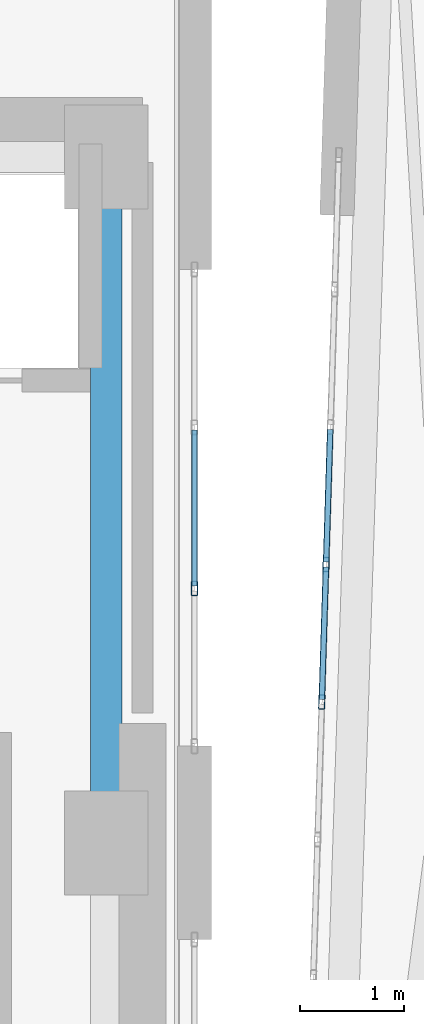
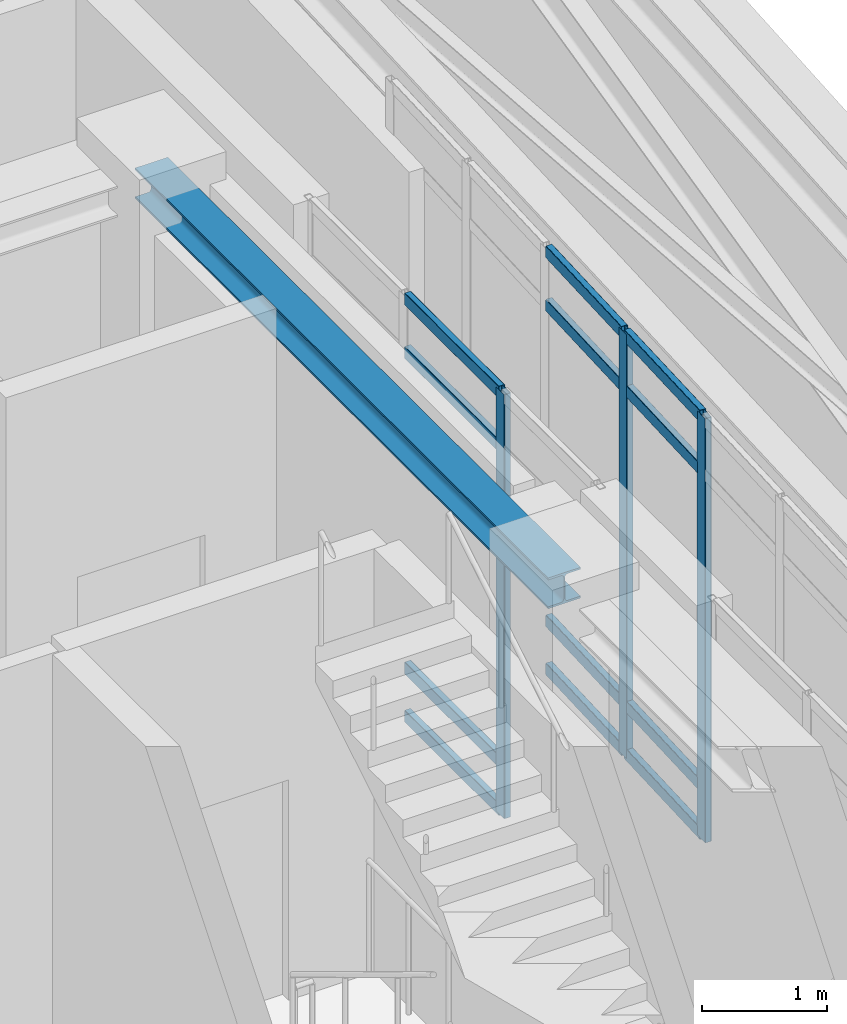
# One storey, part 9 of 19: 15 members, 1 beam, 2 elements without a shape of their own.
"""IFC4 building model written with IfcOpenShell, lengths in metres."""

from ifc_helpers import new_model, si_unit, direction, frame, origin, origin_2d, place, context, subcontext, project, spatial, hollow_rectangle, i_section, extrude, material, layer, layer_set, material_profile, profile_set, type_object, element, aggregate, save


model = new_model("IFC4")

# Units and contexts
model_context = context("Model", 3, precision=1e-05, world=origin(), true_north=direction((0.0, 1.0)))
body_context = subcontext(model_context, "Body", "Model", "MODEL_VIEW")
ifc_project = project(units=[si_unit("LENGTHUNIT", "METRE"), si_unit("AREAUNIT", "SQUARE_METRE"), si_unit("VOLUMEUNIT", "CUBIC_METRE"), si_unit("PLANEANGLEUNIT", "RADIAN"), si_unit("MASSUNIT", "GRAM", prefix="KILO")], contexts=[model_context])

# Site, building, storey
site_placement = place(None, origin())
site = spatial("IfcSite", under=ifc_project, at=site_placement, CompositionType="ELEMENT")
building_placement = place(site_placement, origin())
building = spatial("IfcBuilding", under=site, at=building_placement, Name="Ndelora Gate Hotel", CompositionType="ELEMENT")
storey_placement = place(building_placement, frame((0.0, 0.0, 290.39990234375)))
storey = spatial("IfcBuildingStorey", under=building, at=storey_placement, Name="L72", CompositionType="ELEMENT", Elevation=290.39990234375)

# Beam
ifc_material_1 = material(Name="Steel S355", Category="steel")
ifc_material_profile_1 = material_profile(ifc_material_1, i_section(OverallWidth=0.300048828125, OverallDepth=0.300048828125, WebThickness=0.010986328125, FlangeThickness=0.01904296875, FilletRadius=0.027099609375, at=origin_2d()), Name="HEB 300")
ifc_profile_set_1 = profile_set([ifc_material_profile_1], Name="Steel S355")
beam_type = type_object("IfcBeamType", Name="BM-CORE-300", PredefinedType="BEAM", material=ifc_profile_set_1)
beam_placement = place(storey_placement, frame((8.0, 0.0, 3.97998046875), z_axis=(0.0, 1.0, 0.0), x_axis=(-1.0, 0.0, 0.0)))
element("IfcBeam", 1, at=beam_placement, inside=storey, type_object=beam_type, Name="L72 Core Tie Girder CC4-CC5", PredefinedType="BEAM", context=body_context, shape_type="SweptSolid", body=[
    extrude(i_section(OverallWidth=0.300048828125, OverallDepth=0.300048828125, WebThickness=0.010986328125, FlangeThickness=0.01904296875, FilletRadius=0.027099609375, at=origin_2d()), origin(), (0.0, 0.0, 1.0), 6.60009765625),
])

# Curtain wall, member
ifc_material_2 = material(Name="Bronze Anodised Unitised Aluminium and Low-E Glass", Category="aluminium")
ifc_layer = layer(ifc_material_2, 0.199951171875)
ifc_layer_set = layer_set([ifc_layer], Name="Bronze Anodised Unitised Aluminium and Low-E Glass")
curtain_wall_type = type_object("IfcCurtainWallType", Name="CW-SYS-8", PredefinedType="NOTDEFINED", material=ifc_layer_set)
curtain_wall_1_placement = place(storey_placement, origin())
curtain_wall_1 = element("IfcCurtainWall", 2, at=curtain_wall_1_placement, inside=storey, type_object=curtain_wall_type, Name="L72 Split-Crown West Cleft Lantern Curtain Wall CW8-2", PredefinedType="NOTDEFINED")
ifc_material_3 = material(Name="Bronze Anodised Aluminium 6063-T6", Category="aluminium")
ifc_material_profile_2 = material_profile(ifc_material_3, hollow_rectangle(XDim=0.06005859375, YDim=0.139892578125, WallThickness=0.00390625, InnerFilletRadius=0.00390625, OuterFilletRadius=0.008056640625, at=origin_2d()), Name="ALU 140x60x4")
ifc_profile_set_2 = profile_set([ifc_material_profile_2], Name="Bronze Anodised Aluminium 6063-T6")
member_type_1 = type_object("IfcMemberType", Name="MB-CW-MUL140", PredefinedType="MULLION", material=ifc_profile_set_2)
member_1_placement = place(storey_placement, frame((8.85009765625, 2.449951171875, -0.00390625), z_axis=(0.0, 0.0, 1.0), x_axis=(-1.0, 0.0, 0.0)))
member_1 = element("IfcMember", 3, at=member_1_placement, type_object=member_type_1, Name="CW8 mullion 2", PredefinedType="MULLION", context=body_context, shape_type="SweptSolid", body=[
    extrude(hollow_rectangle(XDim=0.06005859375, YDim=0.139892578125, WallThickness=0.00390625, InnerFilletRadius=0.00390625, OuterFilletRadius=0.008056640625, at=origin_2d()), origin(), (0.0, 0.0, 1.0), 4.137939453125),
])

# Curtain wall, members
curtain_wall_2_placement = place(storey_placement, origin())
curtain_wall_2 = element("IfcCurtainWall", 4, at=curtain_wall_2_placement, inside=storey, type_object=curtain_wall_type, Name="L72 Split-Crown East Cleft Lantern Curtain Wall CW8", PredefinedType="NOTDEFINED")
member_2_placement = place(storey_placement, frame((10.115966796875, 2.68017578125, -0.00390625), z_axis=(0.0, 0.0, 1.0), x_axis=(0.999515302198, -0.031131345484, 0.0)))
member_2 = element("IfcMember", 5, at=member_2_placement, type_object=member_type_1, Name="CW8 mullion 4", PredefinedType="MULLION", context=body_context, shape_type="SweptSolid", body=[
    extrude(hollow_rectangle(XDim=0.06005859375, YDim=0.139892578125, WallThickness=0.00390625, InnerFilletRadius=0.00390625, OuterFilletRadius=0.008056640625, at=origin_2d()), origin(), (0.0, 0.0, 1.0), 4.137939453125),
])
member_3_placement = place(storey_placement, frame((10.074951171875, 1.356201171875, -0.00390625), z_axis=(0.0, 0.0, 1.0), x_axis=(0.999515302198, -0.031131345484, 0.0)))
member_3 = element("IfcMember", 6, at=member_3_placement, type_object=member_type_1, Name="CW8 mullion 5", PredefinedType="MULLION", context=body_context, shape_type="SweptSolid", body=[
    extrude(hollow_rectangle(XDim=0.06005859375, YDim=0.139892578125, WallThickness=0.00390625, InnerFilletRadius=0.00390625, OuterFilletRadius=0.008056640625, at=origin_2d()), origin(), (0.0, 0.0, 1.0), 4.137939453125),
])

# Member
ifc_material_profile_3 = material_profile(ifc_material_3, hollow_rectangle(XDim=0.06005859375, YDim=0.1201171875, WallThickness=0.00390625, InnerFilletRadius=0.00390625, OuterFilletRadius=0.008056640625, at=origin_2d()), Name="ALU 120x60x4")
ifc_profile_set_3 = profile_set([ifc_material_profile_3], Name="Bronze Anodised Aluminium 6063-T6")
member_type_2 = type_object("IfcMemberType", Name="MB-CW-TRN120", PredefinedType="USERDEFINED", material=ifc_profile_set_3)
member_4_placement = place(storey_placement, frame((8.85009765625, 2.47412109375, 0.030029296875), z_axis=(0.0, 1.0, 0.0), x_axis=(-1.0, 0.0, 0.0)))
member_4 = element("IfcMember", 7, at=member_4_placement, type_object=member_type_2, Name="CW8 transom 2.1", ObjectType="TRANSOM", PredefinedType="USERDEFINED", context=body_context, shape_type="SweptSolid", body=[
    extrude(hollow_rectangle(XDim=0.06005859375, YDim=0.1201171875, WallThickness=0.00390625, InnerFilletRadius=0.00390625, OuterFilletRadius=0.008056640625, at=origin_2d()), origin(), (0.0, 0.0, 1.0), 1.501953125),
])

member_5_placement = place(storey_placement, frame((8.85009765625, 2.47412109375, 0.5), z_axis=(0.0, 1.0, 0.0), x_axis=(-1.0, 0.0, 0.0)))
member_5 = element("IfcMember", 8, at=member_5_placement, type_object=member_type_2, Name="CW8 transom 2.2", ObjectType="TRANSOM", PredefinedType="USERDEFINED", context=body_context, shape_type="SweptSolid", body=[
    extrude(hollow_rectangle(XDim=0.06005859375, YDim=0.1201171875, WallThickness=0.00390625, InnerFilletRadius=0.00390625, OuterFilletRadius=0.008056640625, at=origin_2d()), origin(), (0.0, 0.0, 1.0), 1.501953125),
])

member_6_placement = place(storey_placement, frame((8.85009765625, 2.47412109375, 3.580078125), z_axis=(0.0, 1.0, 0.0), x_axis=(-1.0, 0.0, 0.0)))
member_6 = element("IfcMember", 9, at=member_6_placement, type_object=member_type_2, Name="CW8 transom 2.3", ObjectType="TRANSOM", PredefinedType="USERDEFINED", context=body_context, shape_type="SweptSolid", body=[
    extrude(hollow_rectangle(XDim=0.06005859375, YDim=0.1201171875, WallThickness=0.00390625, InnerFilletRadius=0.00390625, OuterFilletRadius=0.008056640625, at=origin_2d()), origin(), (0.0, 0.0, 1.0), 1.501953125),
])

member_7_placement = place(storey_placement, frame((8.85009765625, 2.47412109375, 4.10009765625), z_axis=(0.0, 1.0, 0.0), x_axis=(-1.0, 0.0, 0.0)))
member_7 = element("IfcMember", 10, at=member_7_placement, type_object=member_type_2, Name="CW8 transom 2.4", ObjectType="TRANSOM", PredefinedType="USERDEFINED", context=body_context, shape_type="SweptSolid", body=[
    extrude(hollow_rectangle(XDim=0.06005859375, YDim=0.1201171875, WallThickness=0.00390625, InnerFilletRadius=0.00390625, OuterFilletRadius=0.008056640625, at=origin_2d()), origin(), (0.0, 0.0, 1.0), 1.501953125),
])

aggregate(curtain_wall_1, [member_1, member_4, member_5, member_6, member_7])

member_8_placement = place(storey_placement, frame((10.156494140625, 3.980224609375, 0.030029296875), z_axis=(-0.030983968775, -0.999519881583, 0.0), x_axis=(0.999519881583, -0.030983968775, 0.0)))
member_8 = element("IfcMember", 11, at=member_8_placement, type_object=member_type_2, Name="CW8 transom 3.1", ObjectType="TRANSOM", PredefinedType="USERDEFINED", context=body_context, shape_type="SweptSolid", body=[
    extrude(hollow_rectangle(XDim=0.06005859375, YDim=0.1201171875, WallThickness=0.00390625, InnerFilletRadius=0.00390625, OuterFilletRadius=0.008056640625, at=origin_2d()), origin(), (0.0, 0.0, 1.0), 1.276611328125),
])

member_9_placement = place(storey_placement, frame((10.156494140625, 3.980224609375, 0.5), z_axis=(-0.030983968775, -0.999519881583, 0.0), x_axis=(0.999519881583, -0.030983968775, 0.0)))
member_9 = element("IfcMember", 12, at=member_9_placement, type_object=member_type_2, Name="CW8 transom 3.2", ObjectType="TRANSOM", PredefinedType="USERDEFINED", context=body_context, shape_type="SweptSolid", body=[
    extrude(hollow_rectangle(XDim=0.06005859375, YDim=0.1201171875, WallThickness=0.00390625, InnerFilletRadius=0.00390625, OuterFilletRadius=0.008056640625, at=origin_2d()), origin(), (0.0, 0.0, 1.0), 1.276611328125),
])

member_10_placement = place(storey_placement, frame((10.156494140625, 3.980224609375, 3.580078125), z_axis=(-0.030983968775, -0.999519881583, 0.0), x_axis=(0.999519881583, -0.030983968775, 0.0)))
member_10 = element("IfcMember", 13, at=member_10_placement, type_object=member_type_2, Name="CW8 transom 3.3", ObjectType="TRANSOM", PredefinedType="USERDEFINED", context=body_context, shape_type="SweptSolid", body=[
    extrude(hollow_rectangle(XDim=0.06005859375, YDim=0.1201171875, WallThickness=0.00390625, InnerFilletRadius=0.00390625, OuterFilletRadius=0.008056640625, at=origin_2d()), origin(), (0.0, 0.0, 1.0), 1.276611328125),
])

member_11_placement = place(storey_placement, frame((10.156494140625, 3.980224609375, 4.10009765625), z_axis=(-0.030983968775, -0.999519881583, 0.0), x_axis=(0.999519881583, -0.030983968775, 0.0)))
member_11 = element("IfcMember", 14, at=member_11_placement, type_object=member_type_2, Name="CW8 transom 3.4", ObjectType="TRANSOM", PredefinedType="USERDEFINED", context=body_context, shape_type="SweptSolid", body=[
    extrude(hollow_rectangle(XDim=0.06005859375, YDim=0.1201171875, WallThickness=0.00390625, InnerFilletRadius=0.00390625, OuterFilletRadius=0.008056640625, at=origin_2d()), origin(), (0.0, 0.0, 1.0), 1.276611328125),
])

member_12_placement = place(storey_placement, frame((10.115234375, 2.65625, 0.030029296875), z_axis=(-0.030978046786, -0.99952006514, 0.0), x_axis=(0.99952006514, -0.030978046786, 0.0)))
member_12 = element("IfcMember", 15, at=member_12_placement, type_object=member_type_2, Name="CW8 transom 4.1", ObjectType="TRANSOM", PredefinedType="USERDEFINED", context=body_context, shape_type="SweptSolid", body=[
    extrude(hollow_rectangle(XDim=0.06005859375, YDim=0.1201171875, WallThickness=0.00390625, InnerFilletRadius=0.00390625, OuterFilletRadius=0.008056640625, at=origin_2d()), origin(), (0.0, 0.0, 1.0), 1.27685546875),
])

member_13_placement = place(storey_placement, frame((10.115234375, 2.65625, 0.5), z_axis=(-0.030978046786, -0.99952006514, 0.0), x_axis=(0.99952006514, -0.030978046786, 0.0)))
member_13 = element("IfcMember", 16, at=member_13_placement, type_object=member_type_2, Name="CW8 transom 4.2", ObjectType="TRANSOM", PredefinedType="USERDEFINED", context=body_context, shape_type="SweptSolid", body=[
    extrude(hollow_rectangle(XDim=0.06005859375, YDim=0.1201171875, WallThickness=0.00390625, InnerFilletRadius=0.00390625, OuterFilletRadius=0.008056640625, at=origin_2d()), origin(), (0.0, 0.0, 1.0), 1.27685546875),
])

member_14_placement = place(storey_placement, frame((10.115234375, 2.65625, 3.580078125), z_axis=(-0.030978046786, -0.99952006514, 0.0), x_axis=(0.99952006514, -0.030978046786, 0.0)))
member_14 = element("IfcMember", 17, at=member_14_placement, type_object=member_type_2, Name="CW8 transom 4.3", ObjectType="TRANSOM", PredefinedType="USERDEFINED", context=body_context, shape_type="SweptSolid", body=[
    extrude(hollow_rectangle(XDim=0.06005859375, YDim=0.1201171875, WallThickness=0.00390625, InnerFilletRadius=0.00390625, OuterFilletRadius=0.008056640625, at=origin_2d()), origin(), (0.0, 0.0, 1.0), 1.27685546875),
])

member_15_placement = place(storey_placement, frame((10.115234375, 2.65625, 4.10009765625), z_axis=(-0.030978046786, -0.99952006514, 0.0), x_axis=(0.99952006514, -0.030978046786, 0.0)))
member_15 = element("IfcMember", 18, at=member_15_placement, type_object=member_type_2, Name="CW8 transom 4.4", ObjectType="TRANSOM", PredefinedType="USERDEFINED", context=body_context, shape_type="SweptSolid", body=[
    extrude(hollow_rectangle(XDim=0.06005859375, YDim=0.1201171875, WallThickness=0.00390625, InnerFilletRadius=0.00390625, OuterFilletRadius=0.008056640625, at=origin_2d()), origin(), (0.0, 0.0, 1.0), 1.27685546875),
])

aggregate(curtain_wall_2, [member_2, member_3, member_8, member_9, member_10, member_11, member_12, member_13, member_14, member_15])

save(model, "model.ifc")
